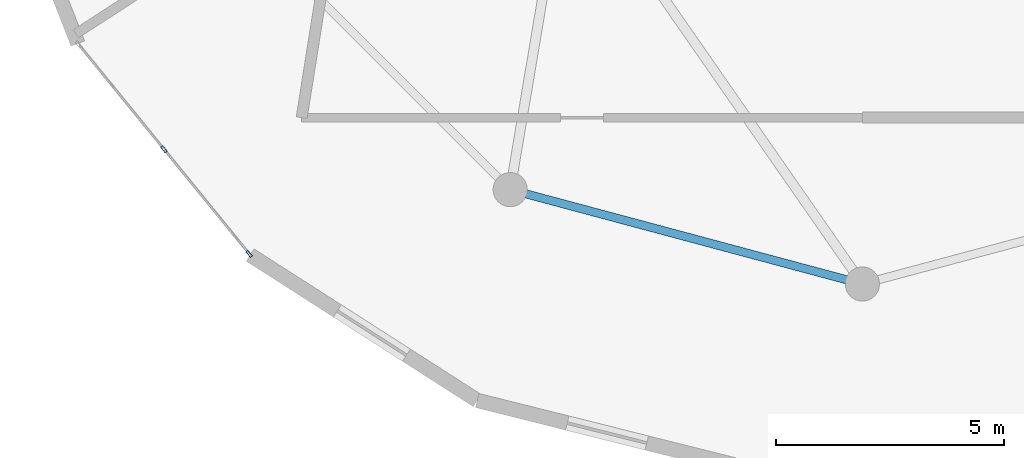
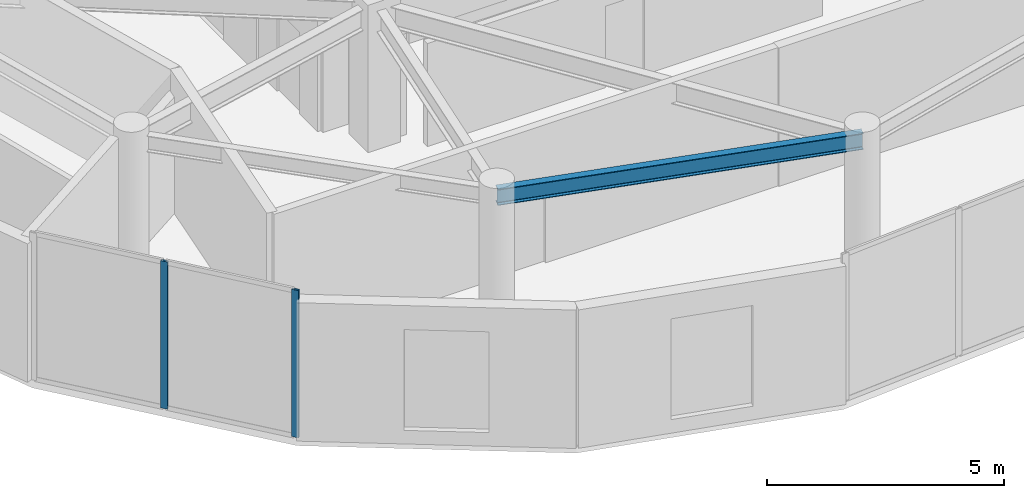
# One storey, part 2 of 22: 2 members, 1 beam, 1 element without a shape of its own.
"""IFC4 building model written with IfcOpenShell, lengths in metres."""

from ifc_helpers import new_model, si_unit, direction, frame, origin, origin_2d, place, context, subcontext, project, spatial, hollow_rectangle, i_section, extrude, source, transform, mapped, material, layer, layer_set, material_profile, profile_set, type_object, element, aggregate, save


model = new_model("IFC4")

# Units and contexts
model_context = context("Model", 3, precision=1e-05, world=origin(), true_north=direction((0.0, 1.0)))
body_context = subcontext(model_context, "Body", "Model", "MODEL_VIEW")
ifc_project = project(units=[si_unit("LENGTHUNIT", "METRE"), si_unit("AREAUNIT", "SQUARE_METRE"), si_unit("VOLUMEUNIT", "CUBIC_METRE"), si_unit("PLANEANGLEUNIT", "RADIAN"), si_unit("MASSUNIT", "GRAM", prefix="KILO")], contexts=[model_context])

# Site, building, storey
site_placement = place(None, origin())
site = spatial("IfcSite", under=ifc_project, at=site_placement, CompositionType="ELEMENT")
building_placement = place(site_placement, origin())
building = spatial("IfcBuilding", under=site, at=building_placement, Name="Solvirekh Grand Hotel", CompositionType="ELEMENT")
storey_placement = place(building_placement, frame((0.0, 0.0, 293.39990234375)))
storey = spatial("IfcBuildingStorey", under=building, at=storey_placement, Name="L76", CompositionType="ELEMENT", Elevation=293.39990234375)

# Beam
ifc_material_1 = material(Name="Steel S355", Category="steel")
ifc_material_profile_1 = material_profile(ifc_material_1, i_section(OverallWidth=0.180908203125, OverallDepth=0.4169921875, WebThickness=0.010009765625, FlangeThickness=0.01611328125, FilletRadius=0.011962890625, at=origin_2d()), Name="W410X85")
ifc_profile_set_1 = profile_set([ifc_material_profile_1], Name="Steel S355")
beam_type = type_object("IfcBeamType", Name="Spandrel_Ring_W410", PredefinedType="SPANDREL", material=ifc_profile_set_1)
beam_placement = place(storey_placement, frame((-7.72509765625, -13.3798828125, 3.362060546875), z_axis=(0.965921616143, -0.258834757072, 0.0), x_axis=(0.258834757072, 0.965921616143, 0.0)))
element("IfcBeam", 1, at=beam_placement, inside=storey, type_object=beam_type, Name="L76 perimeter spandrel beam 9", PredefinedType="SPANDREL", context=body_context, shape_type="SweptSolid", body=[
    extrude(i_section(OverallWidth=0.180908203125, OverallDepth=0.4169921875, WebThickness=0.010009765625, FlangeThickness=0.01611328125, FilletRadius=0.011962890625, at=origin_2d()), origin(), (0.0, 0.0, 1.0), 7.99755859375),
])

# Curtain wall, members
ifc_material_2 = material(Name="Anodized Bronze Aluminium 6063-T6", Category="aluminium")
ifc_layer = layer(ifc_material_2, 0.159912109375)
ifc_layer_set = layer_set([ifc_layer], Name="Anodized Bronze Aluminium 6063-T6")
curtain_wall_type = type_object("IfcCurtainWallType", Name="CW_Sys4_HighZoneFlushBronzeCW", PredefinedType="NOTDEFINED", material=ifc_layer_set)
curtain_wall_placement = place(storey_placement, origin())
curtain_wall = element("IfcCurtainWall", 2, at=curtain_wall_placement, inside=storey, type_object=curtain_wall_type, Name="L76 unitised bronze-glass curtain wall CW-L76-C18", PredefinedType="NOTDEFINED")
ifc_material_profile_2 = material_profile(ifc_material_2, hollow_rectangle(XDim=0.06005859375, YDim=0.159912109375, WallThickness=0.0048828125, at=origin_2d()), Name="ALU RHS 160X60X5")
ifc_profile_set_2 = profile_set([ifc_material_profile_2], Name="Anodized Bronze Aluminium 6063-T6")
member_type = type_object("IfcMemberType", Name="CWMullion_Sys4", PredefinedType="MULLION", material=ifc_profile_set_2)
shared_shape = source(origin(), body_context, "Body", "SweptSolid", [
    extrude(hollow_rectangle(XDim=0.06005859375, YDim=0.159912109375, WallThickness=0.0048828125, at=origin_2d()), origin(), (0.0, 0.0, 1.0), 3.800048828125),
])
member_1_placement = place(storey_placement, frame((-15.321533203125, -12.4951171875, 0.0), z_axis=(0.0, 0.0, 1.0), x_axis=(0.775377413326, 0.631498113143, 0.0)))
member_1 = element("IfcMember", 3, at=member_1_placement, type_object=member_type, Name="U04 mullion 2", PredefinedType="MULLION", context=body_context, shape_type="MappedRepresentation", body=[
    mapped(shared_shape, transform((0.0, 0.0, 0.0), x_axis=(1.0, 0.0, 0.0), y_axis=(0.0, 1.0, 0.0), z_axis=(0.0, 0.0, 1.0), scale=1.0)),
])
member_2_placement = place(storey_placement, frame((-13.450927734375, -14.791748046875, 0.0), z_axis=(0.0, 0.0, 1.0), x_axis=(0.775377413326, 0.631498113143, 0.0)))
member_2 = element("IfcMember", 4, at=member_2_placement, type_object=member_type, Name="U04 mullion 3", PredefinedType="MULLION", context=body_context, shape_type="MappedRepresentation", body=[
    mapped(shared_shape, transform((0.0, 0.0, 0.0), x_axis=(1.0, 0.0, 0.0), y_axis=(0.0, 1.0, 0.0), z_axis=(0.0, 0.0, 1.0), scale=1.0)),
])
aggregate(curtain_wall, [member_1, member_2])

save(model, "model.ifc")
